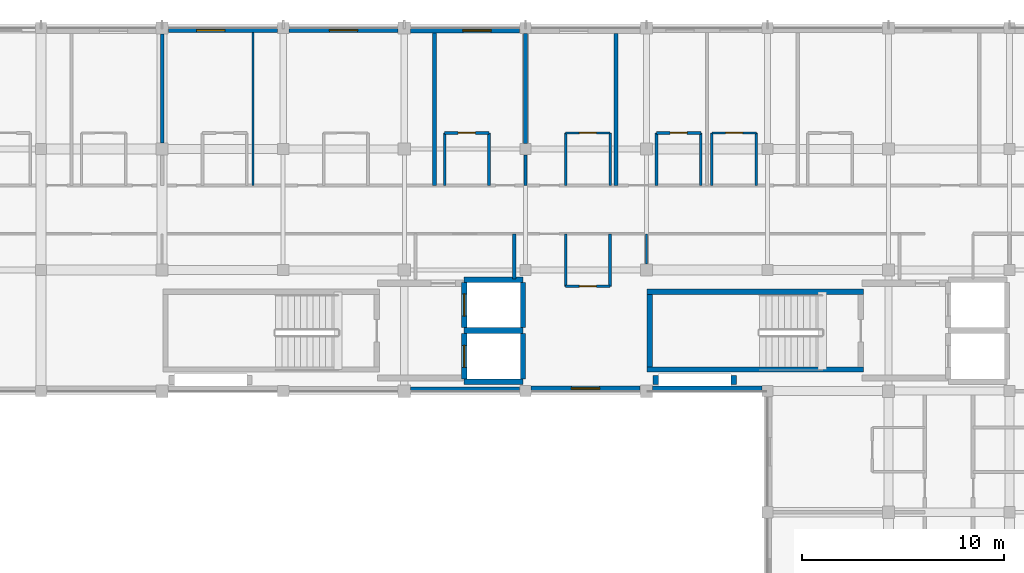
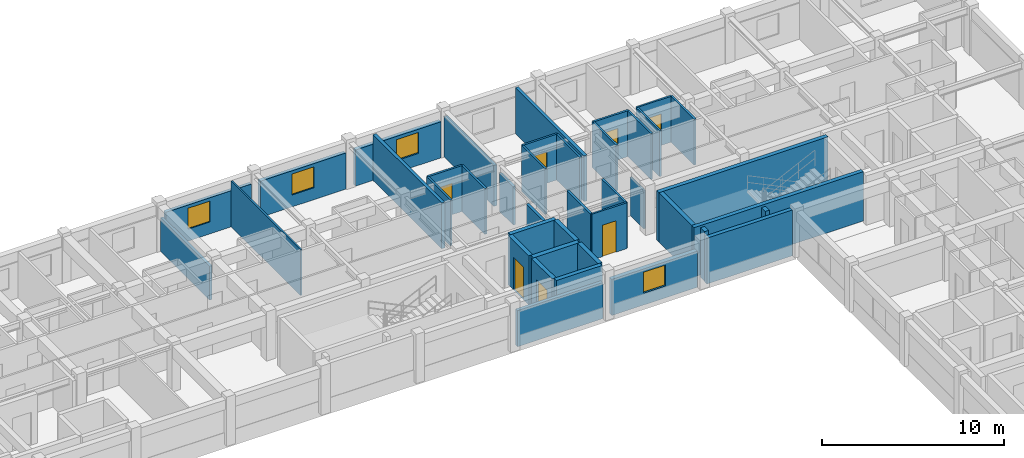
# One storey, part 14 of 21: 41 walls, 7 doors, 4 windows, 11 openings.
"""IFC4 building model written with IfcOpenShell, lengths in metres."""

from ifc_helpers import new_model, si_unit, direction, frame, frame_2d, origin, place, context, subcontext, project, spatial, rectangle, extrude, material, layer, layer_set, type_object, element, fill, save


model = new_model("IFC4")

# Units and contexts
model_context = context("Model", 3, precision=1e-05, world=origin(), true_north=direction((0.0, 1.0)))
body_context = subcontext(model_context, "Body", "Model", "MODEL_VIEW")
ifc_project = project(units=[si_unit("LENGTHUNIT", "METRE"), si_unit("AREAUNIT", "SQUARE_METRE"), si_unit("VOLUMEUNIT", "CUBIC_METRE"), si_unit("PLANEANGLEUNIT", "RADIAN"), si_unit("MASSUNIT", "GRAM", prefix="KILO"), si_unit("THERMODYNAMICTEMPERATUREUNIT", "KELVIN"), si_unit("POWERUNIT", "WATT")], contexts=[model_context])

# Site, building, storey
site_placement = place(None, origin())
site = spatial("IfcSite", under=ifc_project, at=site_placement, CompositionType="ELEMENT")
building_placement = place(site_placement, origin())
building = spatial("IfcBuilding", under=site, at=building_placement, Name="Phaisarnlok Congress Hotel", CompositionType="ELEMENT")
storey_placement = place(building_placement, frame((0.0, 0.0, 34.800048828125)))
storey = spatial("IfcBuildingStorey", under=building, at=storey_placement, Name="L08", CompositionType="ELEMENT", Elevation=34.800048828125)

# Wall, opening, window
ifc_material_1 = material(Name="Concrete C40/50", Category="concrete")
ifc_layer_1 = layer(ifc_material_1, 0.2099609375, Name="Concrete C40/50")
ifc_layer_set_1 = layer_set([ifc_layer_1], Name="Concrete C40/50")
wall_type_1 = type_object("IfcWallType", Name="WL-EXT-210", PredefinedType="SOLIDWALL", material=ifc_layer_set_1)
wall_1_placement = place(storey_placement, frame((137.719970703125, 125.89501953125, 0.0), z_axis=(0.0, 0.0, 1.0), x_axis=(-1.0, 0.0, 0.0)))
wall_1 = element("IfcWall", 1, at=wall_1_placement, inside=storey, type_object=wall_type_1, Name="Exterior wall EW-07 (L08)", PredefinedType="SOLIDWALL", context=body_context, shape_type="SweptSolid", body=[
    extrude(rectangle(XDim=5.4150390625, YDim=0.2099609375, at=frame_2d((2.70751953125, 0.0))), origin(), (0.0, 0.0, 1.0), 2.419921875),
])
opening_1_placement = place(wall_1_placement, frame((2.60693359375, 0.0, 0.800048828125)))
opening_1 = element("IfcOpeningElement", 2, at=opening_1_placement, cuts=wall_1, Name="Opening W-13", PredefinedType="OPENING", context=body_context, shape_type="SweptSolid", body=[
    extrude(rectangle(XDim=1.39990234375, YDim=1.39990234375, at=frame_2d((0.699951171875, 0.699951171875))), frame((0.0, 0.114990234375, 0.0), z_axis=(0.0, -1.0, 0.0), x_axis=(1.0, 0.0, 0.0)), (0.0, 0.0, 1.0), 0.22998046875),
])
ifc_material_2 = material(Name="Thermally Broken Aluminium & Low-E Double Glazing", Category="aluminium")
window_type = type_object("IfcWindowType", Name="WIN-POD-1400", PartitioningType="SINGLE_PANEL", PredefinedType="WINDOW", material=ifc_material_2)
window_1_placement = place(opening_1_placement, origin())
window_1 = element("IfcWindow", 3, at=window_1_placement, inside=storey, type_object=window_type, Name="Guestroom window W-13 (L08)", OverallHeight=1.39990234375, OverallWidth=1.39990234375, PartitioningType="SINGLE_PANEL", PredefinedType="WINDOW", context=body_context, shape_type="SweptSolid", body=[
    extrude(rectangle(XDim=1.39990234375, YDim=1.39990234375, at=frame_2d((0.699951171875, 0.699951171875))), frame((0.0, 0.030029296875, 0.0), z_axis=(0.0, -1.0, 0.0), x_axis=(1.0, 0.0, 0.0)), (0.0, 0.0, 1.0), 0.06005859375),
])
fill(opening_1, window_1)

# Wall
wall_2_placement = place(storey_placement, frame((144.304931640625, 108.10498046875, 0.0), z_axis=(0.0, 0.0, 1.0), x_axis=(1.0, 0.0, 0.0)))
element("IfcWall", 4, at=wall_2_placement, inside=storey, type_object=wall_type_1, Name="Exterior wall EW-07 (L08)", PredefinedType="SOLIDWALL", context=body_context, shape_type="SweptSolid", body=[
    extrude(rectangle(XDim=5.4150390625, YDim=0.2099609375, at=frame_2d((2.70751953125, 0.0))), origin(), (0.0, 0.0, 1.0), 2.419921875),
])

# Wall, opening, window
ifc_layer_2 = layer(ifc_material_1, 0.22998046875, Name="Concrete C40/50")
ifc_layer_set_2 = layer_set([ifc_layer_2], Name="Concrete C40/50")
wall_type_2 = type_object("IfcWallType", Name="WL-EXT-230", PredefinedType="SOLIDWALL", material=ifc_layer_set_2)
wall_3_placement = place(storey_placement, frame((143.695068359375, 125.885009765625, 0.0), z_axis=(0.0, 0.0, 1.0), x_axis=(-1.0, 0.0, 0.0)))
wall_3 = element("IfcWall", 5, at=wall_3_placement, inside=storey, type_object=wall_type_2, Name="Exterior wall EW-06 (L08)", PredefinedType="SOLIDWALL", context=body_context, shape_type="SweptSolid", body=[
    extrude(rectangle(XDim=5.4150390625, YDim=0.22998046875, at=frame_2d((2.70751953125, 0.0))), origin(), (0.0, 0.0, 1.0), 2.419921875),
])
opening_2_placement = place(wall_3_placement, frame((2.007080078125, 0.0, 0.800048828125)))
opening_2 = element("IfcOpeningElement", 6, at=opening_2_placement, cuts=wall_3, Name="Opening W-13", PredefinedType="OPENING", context=body_context, shape_type="SweptSolid", body=[
    extrude(rectangle(XDim=1.39990234375, YDim=1.39990234375, at=frame_2d((0.699951171875, 0.699951171875))), frame((0.0, 0.125, 0.0), z_axis=(0.0, -1.0, 0.0), x_axis=(1.0, 0.0, 0.0)), (0.0, 0.0, 1.0), 0.25),
])
window_2_placement = place(opening_2_placement, origin())
window_2 = element("IfcWindow", 7, at=window_2_placement, inside=storey, type_object=window_type, Name="Guestroom window W-13 (L08)", OverallHeight=1.39990234375, OverallWidth=1.39990234375, PartitioningType="SINGLE_PANEL", PredefinedType="WINDOW", context=body_context, shape_type="SweptSolid", body=[
    extrude(rectangle(XDim=1.39990234375, YDim=1.39990234375, at=frame_2d((0.699951171875, 0.699951171875))), frame((0.0, 0.030029296875, 0.0), z_axis=(0.0, -1.0, 0.0), x_axis=(1.0, 0.0, 0.0)), (0.0, 0.0, 1.0), 0.06005859375),
])
fill(opening_2, window_2)

ifc_layer_3 = layer(ifc_material_1, 0.25, Name="Concrete C40/50")
ifc_layer_set_3 = layer_set([ifc_layer_3], Name="Concrete C40/50")
wall_type_3 = type_object("IfcWallType", Name="WL-EXT-250", PredefinedType="SOLIDWALL", material=ifc_layer_set_3)
wall_4_placement = place(storey_placement, frame((149.719970703125, 125.875, 0.0), z_axis=(0.0, 0.0, 1.0), x_axis=(-1.0, 0.0, 0.0)))
wall_4 = element("IfcWall", 8, at=wall_4_placement, inside=storey, type_object=wall_type_3, Name="Exterior wall EW-05 (L08)", PredefinedType="SOLIDWALL", context=body_context, shape_type="SweptSolid", body=[
    extrude(rectangle(XDim=5.4150390625, YDim=0.25, at=frame_2d((2.70751953125, 0.0))), origin(), (0.0, 0.0, 1.0), 2.419921875),
])
opening_3_placement = place(wall_4_placement, frame((1.419921875, 0.0, 0.800048828125)))
opening_3 = element("IfcOpeningElement", 9, at=opening_3_placement, cuts=wall_4, Name="Opening W-13", PredefinedType="OPENING", context=body_context, shape_type="SweptSolid", body=[
    extrude(rectangle(XDim=1.39990234375, YDim=1.39990234375, at=frame_2d((0.699951171875, 0.699951171875))), frame((0.0, 0.135009765625, 0.0), z_axis=(0.0, -1.0, 0.0), x_axis=(1.0, 0.0, 0.0)), (0.0, 0.0, 1.0), 0.27001953125),
])
window_3_placement = place(opening_3_placement, origin())
window_3 = element("IfcWindow", 10, at=window_3_placement, inside=storey, type_object=window_type, Name="Guestroom window W-13 (L08)", OverallHeight=1.39990234375, OverallWidth=1.39990234375, PartitioningType="SINGLE_PANEL", PredefinedType="WINDOW", context=body_context, shape_type="SweptSolid", body=[
    extrude(rectangle(XDim=1.39990234375, YDim=1.39990234375, at=frame_2d((0.699951171875, 0.699951171875))), frame((0.0, 0.030029296875, 0.0), z_axis=(0.0, -1.0, 0.0), x_axis=(1.0, 0.0, 0.0)), (0.0, 0.0, 1.0), 0.06005859375),
])
fill(opening_3, window_3)

# Wall
wall_5_placement = place(storey_placement, frame((156.304931640625, 108.125, 0.0), z_axis=(0.0, 0.0, 1.0), x_axis=(1.0, 0.0, 0.0)))
element("IfcWall", 11, at=wall_5_placement, inside=storey, type_object=wall_type_3, Name="Exterior wall EW-05 (L08)", PredefinedType="SOLIDWALL", context=body_context, shape_type="SweptSolid", body=[
    extrude(rectangle(XDim=5.4150390625, YDim=0.25, at=frame_2d((2.70751953125, 0.0))), origin(), (0.0, 0.0, 1.0), 3.070068359375),
])

# Wall, opening, window
ifc_layer_4 = layer(ifc_material_1, 0.27001953125, Name="Concrete C40/50")
ifc_layer_set_4 = layer_set([ifc_layer_4], Name="Concrete C40/50")
wall_type_4 = type_object("IfcWallType", Name="WL-EXT-270", PredefinedType="SOLIDWALL", material=ifc_layer_set_4)
wall_6_placement = place(storey_placement, frame((150.280029296875, 108.135009765625, 0.0), z_axis=(0.0, 0.0, 1.0), x_axis=(1.0, 0.0, 0.0)))
wall_6 = element("IfcWall", 12, at=wall_6_placement, inside=storey, type_object=wall_type_4, Name="Exterior wall EW-04 (L08)", PredefinedType="SOLIDWALL", context=body_context, shape_type="SweptSolid", body=[
    extrude(rectangle(XDim=5.4150390625, YDim=0.27001953125, at=frame_2d((2.70751953125, 0.0))), origin(), (0.0, 0.0, 1.0), 2.419921875),
])
opening_4_placement = place(wall_6_placement, frame((2.008056640625, 0.0, 0.800048828125)))
opening_4 = element("IfcOpeningElement", 13, at=opening_4_placement, cuts=wall_6, Name="Opening W-13", PredefinedType="OPENING", context=body_context, shape_type="SweptSolid", body=[
    extrude(rectangle(XDim=1.39990234375, YDim=1.39990234375, at=frame_2d((0.699951171875, 0.699951171875))), frame((0.0, 0.14501953125, 0.0), z_axis=(0.0, -1.0, 0.0), x_axis=(1.0, 0.0, 0.0)), (0.0, 0.0, 1.0), 0.2900390625),
])
window_4_placement = place(opening_4_placement, origin())
window_4 = element("IfcWindow", 14, at=window_4_placement, inside=storey, type_object=window_type, Name="Guestroom window W-13 (L08)", OverallHeight=1.39990234375, OverallWidth=1.39990234375, PartitioningType="SINGLE_PANEL", PredefinedType="WINDOW", context=body_context, shape_type="SweptSolid", body=[
    extrude(rectangle(XDim=1.39990234375, YDim=1.39990234375, at=frame_2d((0.699951171875, 0.699951171875))), frame((0.0, 0.030029296875, 0.0), z_axis=(0.0, -1.0, 0.0), x_axis=(1.0, 0.0, 0.0)), (0.0, 0.0, 1.0), 0.06005859375),
])
fill(opening_4, window_4)

# Walls
ifc_material_3 = material(Name="Service Riser Shaftwall Partition", Category="gypsum")
ifc_layer_5 = layer(ifc_material_3, 0.10498046875, Name="Service Riser Shaftwall Partition")
ifc_layer_set_5 = layer_set([ifc_layer_5], Name="Service Riser Shaftwall Partition")
wall_type_5 = type_object("IfcWallType", Name="WL-INT-105", PredefinedType="PARTITIONING", material=ifc_layer_set_5)
wall_7_placement = place(storey_placement, frame((136.5, 118.199951171875, 0.0), z_axis=(0.0, 0.0, 1.0), x_axis=(0.0, 1.0, 0.0)))
element("IfcWall", 15, at=wall_7_placement, inside=storey, type_object=wall_type_5, Name="Interior partition wall IW-08 (L08)", PredefinedType="PARTITIONING", context=body_context, shape_type="SweptSolid", body=[
    extrude(rectangle(XDim=7.5849609375, YDim=0.10498046875, at=frame_2d((3.79248046875, 0.0))), origin(), (0.0, 0.0, 1.0), 3.070068359375),
])
wall_8_placement = place(storey_placement, frame((156.0, 114.304931640625, 0.0), z_axis=(0.0, 0.0, 1.0), x_axis=(0.0, 1.0, 0.0)))
element("IfcWall", 16, at=wall_8_placement, inside=storey, type_object=wall_type_5, Name="Interior partition wall IW-08 (L08)", PredefinedType="PARTITIONING", context=body_context, shape_type="SweptSolid", body=[
    extrude(rectangle(XDim=1.4951171875, YDim=0.10498046875, at=frame_2d((0.74755859375, 0.0))), origin(), (0.0, 0.0, 1.0), 2.570068359375),
])
ifc_material_4 = material(Name="Lightweight Metal-Stud Gypsum Partition", Category="gypsum")
ifc_layer_6 = layer(ifc_material_4, 0.1201171875, Name="Lightweight Metal-Stud Gypsum Partition")
ifc_layer_set_6 = layer_set([ifc_layer_6], Name="Lightweight Metal-Stud Gypsum Partition")
wall_type_6 = type_object("IfcWallType", Name="WL-INT-120", PredefinedType="PARTITIONING", material=ifc_layer_set_6)
for number, where, z_axis, x_axis, name in (
    (17, (146.0, 118.199951171875, 0.0), (0.0, 0.0, 1.0), (0.0, 1.0, 0.0), "Interior partition wall IW-07 (L08)"),
    (18, (152.0, 118.199951171875, 0.0), (0.0, 0.0, 1.0), (0.0, 1.0, 0.0), "Interior partition wall IW-07 (L08)"),
    (19, (154.199951171875, 118.199951171875, 0.0), (0.0, 0.0, 1.0), (0.0, 1.0, 0.0), "Interior partition wall IW-07 (L08)"),
    (20, (158.699951171875, 118.199951171875, 0.0), (0.0, 0.0, 1.0), (0.0, 1.0, 0.0), "Interior partition wall IW-07 (L08)"),
    (21, (159.25, 118.199951171875, 0.0), (0.0, 0.0, 1.0), (0.0, 1.0, 0.0), "Interior partition wall IW-07 (L08)"),
):
    element("IfcWall", number, at=place(storey_placement, frame(where, z_axis=z_axis, x_axis=x_axis)), inside=storey, type_object=wall_type_6, Name=name, PredefinedType="PARTITIONING", context=body_context, shape_type="SweptSolid", body=[
        extrude(rectangle(XDim=2.60009765625, YDim=0.1201171875, at=frame_2d((1.300048828125, 0.0))), origin(), (0.0, 0.0, 1.0), 3.070068359375),
    ])

# Wall, opening, door
wall_9_placement = place(storey_placement, frame((152.0, 113.199951171875, 0.0), z_axis=(0.0, 0.0, 1.0), x_axis=(1.0, 0.0, 0.0)))
wall_9 = element("IfcWall", 22, at=wall_9_placement, inside=storey, type_object=wall_type_6, Name="Interior partition wall IW-07 (L08)", PredefinedType="PARTITIONING", context=body_context, shape_type="SweptSolid", body=[
    extrude(rectangle(XDim=2.199951171875, YDim=0.1201171875, at=frame_2d((1.10009765625, 0.0))), origin(), (0.0, 0.0, 1.0), 3.070068359375),
])
opening_5_placement = place(wall_9_placement, frame((0.675048828125, 0.0, 0.0)))
opening_5 = element("IfcOpeningElement", 23, at=opening_5_placement, cuts=wall_9, Name="Opening D-0445", PredefinedType="OPENING", context=body_context, shape_type="SweptSolid", body=[
    extrude(rectangle(XDim=0.85009765625, YDim=2.10009765625, at=frame_2d((0.425048828125, 1.050048828125))), frame((0.0, 0.070068359375, 0.0), z_axis=(0.0, -1.0, 0.0), x_axis=(1.0, 0.0, 0.0)), (0.0, 0.0, 1.0), 0.14013671875),
])
ifc_material_5 = material(Name="Moisture-Resistant Lacquered Timber", Category="wood")
door_type_1 = type_object("IfcDoorType", Name="DR-BATH-850", OperationType="NOTDEFINED", PredefinedType="DOOR", material=ifc_material_5)
door_1_placement = place(opening_5_placement, origin())
door_1 = element("IfcDoor", 24, at=door_1_placement, inside=storey, type_object=door_type_1, Name="Interior door D-0445 (L08)", OperationType="SINGLE_SWING_RIGHT", OverallHeight=2.10009765625, OverallWidth=0.85009765625, PredefinedType="DOOR", context=body_context, shape_type="SweptSolid", body=[
    extrude(rectangle(XDim=0.85009765625, YDim=2.10009765625, at=frame_2d((0.425048828125, 1.050048828125))), frame((0.0, 0.02490234375, 0.0), z_axis=(0.0, -1.0, 0.0), x_axis=(1.0, 0.0, 0.0)), (0.0, 0.0, 1.0), 0.050048828125),
])
fill(opening_5, door_1)

wall_10_placement = place(storey_placement, frame((152.0, 120.800048828125, 0.0), z_axis=(0.0, 0.0, 1.0), x_axis=(1.0, 0.0, 0.0)))
wall_10 = element("IfcWall", 25, at=wall_10_placement, inside=storey, type_object=wall_type_6, Name="Interior partition wall IW-07 (L08)", PredefinedType="PARTITIONING", context=body_context, shape_type="SweptSolid", body=[
    extrude(rectangle(XDim=2.199951171875, YDim=0.1201171875, at=frame_2d((1.10009765625, 0.0))), origin(), (0.0, 0.0, 1.0), 3.070068359375),
])
opening_6_placement = place(wall_10_placement, frame((0.675048828125, 0.0, 0.0)))
opening_6 = element("IfcOpeningElement", 26, at=opening_6_placement, cuts=wall_10, Name="Opening D-0433", PredefinedType="OPENING", context=body_context, shape_type="SweptSolid", body=[
    extrude(rectangle(XDim=0.85009765625, YDim=2.10009765625, at=frame_2d((0.425048828125, 1.050048828125))), frame((0.0, 0.070068359375, 0.0), z_axis=(0.0, -1.0, 0.0), x_axis=(1.0, 0.0, 0.0)), (0.0, 0.0, 1.0), 0.14013671875),
])
door_2_placement = place(opening_6_placement, origin())
door_2 = element("IfcDoor", 27, at=door_2_placement, inside=storey, type_object=door_type_1, Name="Interior door D-0433 (L08)", OperationType="SINGLE_SWING_RIGHT", OverallHeight=2.10009765625, OverallWidth=0.85009765625, PredefinedType="DOOR", context=body_context, shape_type="SweptSolid", body=[
    extrude(rectangle(XDim=0.85009765625, YDim=2.10009765625, at=frame_2d((0.425048828125, 1.050048828125))), frame((0.0, 0.02490234375, 0.0), z_axis=(0.0, -1.0, 0.0), x_axis=(1.0, 0.0, 0.0)), (0.0, 0.0, 1.0), 0.050048828125),
])
fill(opening_6, door_2)

wall_11_placement = place(storey_placement, frame((159.25, 120.800048828125, 0.0), z_axis=(0.0, 0.0, 1.0), x_axis=(1.0, 0.0, 0.0)))
wall_11 = element("IfcWall", 28, at=wall_11_placement, inside=storey, type_object=wall_type_6, Name="Interior partition wall IW-07 (L08)", PredefinedType="PARTITIONING", context=body_context, shape_type="SweptSolid", body=[
    extrude(rectangle(XDim=2.199951171875, YDim=0.1201171875, at=frame_2d((1.10009765625, 0.0))), origin(), (0.0, 0.0, 1.0), 3.070068359375),
])
opening_7_placement = place(wall_11_placement, frame((0.675048828125, 0.0, 0.0)))
opening_7 = element("IfcOpeningElement", 29, at=opening_7_placement, cuts=wall_11, Name="Opening D-0437", PredefinedType="OPENING", context=body_context, shape_type="SweptSolid", body=[
    extrude(rectangle(XDim=0.85009765625, YDim=2.10009765625, at=frame_2d((0.425048828125, 1.050048828125))), frame((0.0, 0.070068359375, 0.0), z_axis=(0.0, -1.0, 0.0), x_axis=(1.0, 0.0, 0.0)), (0.0, 0.0, 1.0), 0.14013671875),
])
door_3_placement = place(opening_7_placement, origin())
door_3 = element("IfcDoor", 30, at=door_3_placement, inside=storey, type_object=door_type_1, Name="Interior door D-0437 (L08)", OperationType="SINGLE_SWING_RIGHT", OverallHeight=2.10009765625, OverallWidth=0.85009765625, PredefinedType="DOOR", context=body_context, shape_type="SweptSolid", body=[
    extrude(rectangle(XDim=0.85009765625, YDim=2.10009765625, at=frame_2d((0.425048828125, 1.050048828125))), frame((0.0, 0.02490234375, 0.0), z_axis=(0.0, -1.0, 0.0), x_axis=(1.0, 0.0, 0.0)), (0.0, 0.0, 1.0), 0.050048828125),
])
fill(opening_7, door_3)

# Walls
ifc_material_6 = material(Name="Moisture-Resistant Gypsum Partition", Category="gypsum")
ifc_layer_7 = layer(ifc_material_6, 0.135009765625, Name="Moisture-Resistant Gypsum Partition")
ifc_layer_set_7 = layer_set([ifc_layer_7], Name="Moisture-Resistant Gypsum Partition")
wall_type_7 = type_object("IfcWallType", Name="WL-INT-135", PredefinedType="PARTITIONING", material=ifc_layer_set_7)
for number, where, z_axis, x_axis, name in (
    (31, (148.199951171875, 118.199951171875, 0.0), (0.0, 0.0, 1.0), (0.0, 1.0, 0.0), "Interior partition wall IW-06 (L08)"),
    (32, (152.0, 113.199951171875, 0.0), (0.0, 0.0, 1.0), (0.0, 1.0, 0.0), "Interior partition wall IW-06 (L08)"),
    (33, (154.199951171875, 113.199951171875, 0.0), (0.0, 0.0, 1.0), (0.0, 1.0, 0.0), "Interior partition wall IW-06 (L08)"),
    (34, (156.5, 118.199951171875, 0.0), (0.0, 0.0, 1.0), (0.0, 1.0, 0.0), "Interior partition wall IW-06 (L08)"),
    (35, (161.449951171875, 118.199951171875, 0.0), (0.0, 0.0, 1.0), (0.0, 1.0, 0.0), "Interior partition wall IW-06 (L08)"),
):
    element("IfcWall", number, at=place(storey_placement, frame(where, z_axis=z_axis, x_axis=x_axis)), inside=storey, type_object=wall_type_7, Name=name, PredefinedType="PARTITIONING", context=body_context, shape_type="SweptSolid", body=[
        extrude(rectangle(XDim=2.60009765625, YDim=0.135009765625, at=frame_2d((1.300048828125, 0.0))), origin(), (0.0, 0.0, 1.0), 3.070068359375),
    ])

# Wall, opening, door
wall_12_placement = place(storey_placement, frame((146.0, 120.800048828125, 0.0), z_axis=(0.0, 0.0, 1.0), x_axis=(1.0, 0.0, 0.0)))
wall_12 = element("IfcWall", 36, at=wall_12_placement, inside=storey, type_object=wall_type_7, Name="Interior partition wall IW-06 (L08)", PredefinedType="PARTITIONING", context=body_context, shape_type="SweptSolid", body=[
    extrude(rectangle(XDim=2.199951171875, YDim=0.135009765625, at=frame_2d((1.10009765625, 0.0))), origin(), (0.0, 0.0, 1.0), 3.070068359375),
])
opening_8_placement = place(wall_12_placement, frame((0.675048828125, 0.0, 0.0)))
opening_8 = element("IfcOpeningElement", 37, at=opening_8_placement, cuts=wall_12, Name="Opening D-0431", PredefinedType="OPENING", context=body_context, shape_type="SweptSolid", body=[
    extrude(rectangle(XDim=0.85009765625, YDim=2.10009765625, at=frame_2d((0.425048828125, 1.050048828125))), frame((0.0, 0.07763671875, 0.0), z_axis=(0.0, -1.0, 0.0), x_axis=(1.0, 0.0, 0.0)), (0.0, 0.0, 1.0), 0.155029296875),
])
door_4_placement = place(opening_8_placement, origin())
door_4 = element("IfcDoor", 38, at=door_4_placement, inside=storey, type_object=door_type_1, Name="Interior door D-0431 (L08)", OperationType="SINGLE_SWING_RIGHT", OverallHeight=2.10009765625, OverallWidth=0.85009765625, PredefinedType="DOOR", context=body_context, shape_type="SweptSolid", body=[
    extrude(rectangle(XDim=0.85009765625, YDim=2.10009765625, at=frame_2d((0.425048828125, 1.050048828125))), frame((0.0, 0.02490234375, 0.0), z_axis=(0.0, -1.0, 0.0), x_axis=(1.0, 0.0, 0.0)), (0.0, 0.0, 1.0), 0.050048828125),
])
fill(opening_8, door_4)

wall_13_placement = place(storey_placement, frame((156.5, 120.800048828125, 0.0), z_axis=(0.0, 0.0, 1.0), x_axis=(1.0, 0.0, 0.0)))
wall_13 = element("IfcWall", 39, at=wall_13_placement, inside=storey, type_object=wall_type_7, Name="Interior partition wall IW-06 (L08)", PredefinedType="PARTITIONING", context=body_context, shape_type="SweptSolid", body=[
    extrude(rectangle(XDim=2.199951171875, YDim=0.135009765625, at=frame_2d((1.10009765625, 0.0))), origin(), (0.0, 0.0, 1.0), 3.070068359375),
])
opening_9_placement = place(wall_13_placement, frame((0.675048828125, 0.0, 0.0)))
opening_9 = element("IfcOpeningElement", 40, at=opening_9_placement, cuts=wall_13, Name="Opening D-0435", PredefinedType="OPENING", context=body_context, shape_type="SweptSolid", body=[
    extrude(rectangle(XDim=0.85009765625, YDim=2.10009765625, at=frame_2d((0.425048828125, 1.050048828125))), frame((0.0, 0.07763671875, 0.0), z_axis=(0.0, -1.0, 0.0), x_axis=(1.0, 0.0, 0.0)), (0.0, 0.0, 1.0), 0.155029296875),
])
door_5_placement = place(opening_9_placement, origin())
door_5 = element("IfcDoor", 41, at=door_5_placement, inside=storey, type_object=door_type_1, Name="Interior door D-0435 (L08)", OperationType="SINGLE_SWING_RIGHT", OverallHeight=2.10009765625, OverallWidth=0.85009765625, PredefinedType="DOOR", context=body_context, shape_type="SweptSolid", body=[
    extrude(rectangle(XDim=0.85009765625, YDim=2.10009765625, at=frame_2d((0.425048828125, 1.050048828125))), frame((0.0, 0.02490234375, 0.0), z_axis=(0.0, -1.0, 0.0), x_axis=(1.0, 0.0, 0.0)), (0.0, 0.0, 1.0), 0.050048828125),
])
fill(opening_9, door_5)

# Walls
ifc_material_7 = material(Name="Acoustic Gypsum Board & Mineral Wool", Category="gypsum")
ifc_layer_8 = layer(ifc_material_7, 0.14990234375, Name="Acoustic Gypsum Board & Mineral Wool")
ifc_layer_set_8 = layer_set([ifc_layer_8], Name="Acoustic Gypsum Board & Mineral Wool")
wall_type_8 = type_object("IfcWallType", Name="WL-INT-150", PredefinedType="PARTITIONING", material=ifc_layer_set_8)
wall_14_placement = place(storey_placement, frame((150.0, 118.199951171875, 0.0), z_axis=(0.0, 0.0, 1.0), x_axis=(0.0, 1.0, 0.0)))
element("IfcWall", 42, at=wall_14_placement, inside=storey, type_object=wall_type_8, Name="Interior partition wall IW-05 (L08)", PredefinedType="PARTITIONING", context=body_context, shape_type="SweptSolid", body=[
    extrude(rectangle(XDim=1.52001953125, YDim=0.14990234375, at=frame_2d((0.760009765625, 0.0))), origin(), (0.0, 0.0, 1.0), 2.570068359375),
])
ifc_material_8 = material(Name="Double-Stud Acoustic Gypsum Partition", Category="gypsum")
ifc_layer_9 = layer(ifc_material_8, 0.159912109375, Name="Double-Stud Acoustic Gypsum Partition")
ifc_layer_set_9 = layer_set([ifc_layer_9], Name="Double-Stud Acoustic Gypsum Partition")
wall_type_9 = type_object("IfcWallType", Name="WL-INT-160", PredefinedType="PARTITIONING", material=ifc_layer_set_9)
wall_15_placement = place(storey_placement, frame((132.0, 120.304931640625, 0.0), z_axis=(0.0, 0.0, 1.0), x_axis=(0.0, 1.0, 0.0)))
element("IfcWall", 43, at=wall_15_placement, inside=storey, type_object=wall_type_9, Name="Interior partition wall IW-04 (L08)", PredefinedType="PARTITIONING", context=body_context, shape_type="SweptSolid", body=[
    extrude(rectangle(XDim=5.39013671875, YDim=0.159912109375, at=frame_2d((2.695068359375, 0.0))), origin(), (0.0, 0.0, 1.0), 2.27001953125),
])
wall_16_placement = place(storey_placement, frame((149.449951171875, 113.56005859375, 0.0), z_axis=(0.0, 0.0, 1.0), x_axis=(0.0, 1.0, 0.0)))
element("IfcWall", 44, at=wall_16_placement, inside=storey, type_object=wall_type_9, Name="Interior partition wall IW-04 (L08)", PredefinedType="PARTITIONING", context=body_context, shape_type="SweptSolid", body=[
    extrude(rectangle(XDim=2.239990234375, YDim=0.159912109375, at=frame_2d((1.1201171875, 0.0))), origin(), (0.0, 0.0, 1.0), 3.070068359375),
])
ifc_material_9 = material(Name="Autoclaved Aerated Concrete Block", Category="concrete")
ifc_layer_10 = layer(ifc_material_9, 0.199951171875, Name="Autoclaved Aerated Concrete Block")
ifc_layer_set_10 = layer_set([ifc_layer_10], Name="Autoclaved Aerated Concrete Block")
wall_type_10 = type_object("IfcWallType", Name="WL-INT-200", PredefinedType="PARTITIONING", material=ifc_layer_set_10)
wall_17_placement = place(storey_placement, frame((145.5, 118.199951171875, 0.0), z_axis=(0.0, 0.0, 1.0), x_axis=(0.0, 1.0, 0.0)))
element("IfcWall", 45, at=wall_17_placement, inside=storey, type_object=wall_type_10, Name="Interior partition wall IW-02 (L08)", PredefinedType="PARTITIONING", context=body_context, shape_type="SweptSolid", body=[
    extrude(rectangle(XDim=7.545166015625, YDim=0.199951171875, at=frame_2d((3.7724609375, 0.0))), origin(), (0.0, 0.0, 1.0), 3.070068359375),
])
wall_18_placement = place(storey_placement, frame((150.0, 120.280029296875, 0.0), z_axis=(0.0, 0.0, 1.0), x_axis=(0.0, 1.0, 0.0)))
element("IfcWall", 46, at=wall_18_placement, inside=storey, type_object=wall_type_10, Name="Interior partition wall IW-02 (L08)", PredefinedType="PARTITIONING", context=body_context, shape_type="SweptSolid", body=[
    extrude(rectangle(XDim=5.43994140625, YDim=0.199951171875, at=frame_2d((2.719970703125, 0.0))), origin(), (0.0, 0.0, 1.0), 2.72998046875),
])
wall_19_placement = place(storey_placement, frame((154.5, 118.199951171875, 0.0), z_axis=(0.0, 0.0, 1.0), x_axis=(0.0, 1.0, 0.0)))
element("IfcWall", 47, at=wall_19_placement, inside=storey, type_object=wall_type_10, Name="Interior partition wall IW-02 (L08)", PredefinedType="PARTITIONING", context=body_context, shape_type="SweptSolid", body=[
    extrude(rectangle(XDim=7.525146484375, YDim=0.199951171875, at=frame_2d((3.7626953125, 0.0))), origin(), (0.0, 0.0, 1.0), 3.070068359375),
])
ifc_material_10 = material(Name="Concrete C50/60", Category="concrete")
ifc_layer_11 = layer(ifc_material_10, 0.260009765625, Name="Concrete C50/60")
ifc_layer_set_11 = layer_set([ifc_layer_11], Name="Concrete C50/60")
wall_type_11 = type_object("IfcWallType", Name="WL-SHR-260", PredefinedType="SHEAR", material=ifc_layer_set_11)
for number, where, z_axis, x_axis, name in (
    (48, (156.0400390625, 109.070068359375, 0.0), (0.0, 0.0, 1.0), (1.0, 0.0, 0.0), "Stair shaft shear wall SW-04 (CORE-1 L08)"),
    (49, (156.0400390625, 112.929931640625, 0.0), (0.0, 0.0, 1.0), (1.0, 0.0, 0.0), "Stair shaft shear wall SW-04 (CORE-1 L08)"),
):
    element("IfcWall", number, at=place(storey_placement, frame(where, z_axis=z_axis, x_axis=x_axis)), inside=storey, type_object=wall_type_11, Name=name, PredefinedType="SHEAR", context=body_context, shape_type="SweptSolid", body=[
        extrude(rectangle(XDim=10.719970703125, YDim=0.260009765625, at=frame_2d((5.35986328125, 0.0))), origin(), (0.0, 0.0, 1.0), 3.300048828125),
    ])
wall_20_placement = place(storey_placement, frame((156.169921875, 109.199951171875, 0.0), z_axis=(0.0, 0.0, 1.0), x_axis=(0.0, 1.0, 0.0)))
element("IfcWall", 50, at=wall_20_placement, inside=storey, type_object=wall_type_11, Name="Stair shaft shear wall SW-04 (CORE-1 L08)", PredefinedType="SHEAR", context=body_context, shape_type="SweptSolid", body=[
    extrude(rectangle(XDim=3.60009765625, YDim=0.260009765625, at=frame_2d((1.800048828125, 0.0))), origin(), (0.0, 0.0, 1.0), 3.300048828125),
])
for number, where, z_axis, x_axis, name in (
    (51, (156.469970703125, 108.330078125, 0.0), (0.0, 0.0, 1.0), (0.0, 1.0, 0.0), "Service riser shaft wall SW-04 (CORE-1 L08)"),
    (52, (160.330078125, 108.330078125, 0.0), (0.0, 0.0, 1.0), (0.0, 1.0, 0.0), "Service riser shaft wall SW-04 (CORE-1 L08)"),
):
    element("IfcWall", number, at=place(storey_placement, frame(where, z_axis=z_axis, x_axis=x_axis)), inside=storey, type_object=wall_type_11, Name=name, PredefinedType="SHEAR", context=body_context, shape_type="SweptSolid", body=[
        extrude(rectangle(XDim=0.43994140625, YDim=0.260009765625, at=frame_2d((0.219970703125, 0.0))), origin(), (0.0, 0.0, 1.0), 3.300048828125),
    ])
wall_21_placement = place(storey_placement, frame((146.969970703125, 108.469970703125, 0.0), z_axis=(0.0, 0.0, 1.0), x_axis=(1.0, 0.0, 0.0)))
element("IfcWall", 53, at=wall_21_placement, inside=storey, type_object=wall_type_11, Name="Lift shaft shear wall SW-04 (LF-FF2 L08)", PredefinedType="SHEAR", context=body_context, shape_type="SweptSolid", body=[
    extrude(rectangle(XDim=2.909912109375, YDim=0.260009765625, at=frame_2d((1.455078125, 0.0))), origin(), (0.0, 0.0, 1.0), 3.300048828125),
])
wall_22_placement = place(storey_placement, frame((149.8798828125, 108.60009765625, 0.0), z_axis=(0.0, 0.0, 1.0), x_axis=(0.0, 1.0, 0.0)))
element("IfcWall", 54, at=wall_22_placement, inside=storey, type_object=wall_type_11, Name="Lift shaft shear wall SW-04 (LF-FF2 L08)", PredefinedType="SHEAR", context=body_context, shape_type="SweptSolid", body=[
    extrude(rectangle(XDim=2.25, YDim=0.260009765625, at=frame_2d((1.125, 0.0))), origin(), (0.0, 0.0, 1.0), 3.300048828125),
])

# Wall, opening, door
wall_23_placement = place(storey_placement, frame((146.969970703125, 108.60009765625, 0.0), z_axis=(0.0, 0.0, 1.0), x_axis=(0.0, 1.0, 0.0)))
wall_23 = element("IfcWall", 55, at=wall_23_placement, inside=storey, type_object=wall_type_11, Name="Lift shaft front wall SW-04 (LF-FF2 L08)", PredefinedType="SHEAR", context=body_context, shape_type="SweptSolid", body=[
    extrude(rectangle(XDim=2.25, YDim=0.260009765625, at=frame_2d((1.125, 0.0))), origin(), (0.0, 0.0, 1.0), 3.300048828125),
])
opening_10_placement = place(wall_23_placement, frame((0.574951171875, 0.0, 0.0)))
opening_10 = element("IfcOpeningElement", 56, at=opening_10_placement, cuts=wall_23, Name="Opening LD-040", PredefinedType="OPENING", context=body_context, shape_type="SweptSolid", body=[
    extrude(rectangle(XDim=1.10009765625, YDim=2.199951171875, at=frame_2d((0.550048828125, 1.10009765625))), frame((0.0, 0.14013671875, 0.0), z_axis=(0.0, -1.0, 0.0), x_axis=(1.0, 0.0, 0.0)), (0.0, 0.0, 1.0), 0.280029296875),
])
ifc_material_11 = material(Name="Brushed Stainless Steel Grade 304", Category="steel")
door_type_2 = type_object("IfcDoorType", Name="DR-LD-1100", OperationType="DOUBLE_DOOR_SLIDING", PredefinedType="DOOR", material=ifc_material_11)
door_6_placement = place(opening_10_placement, origin())
door_6 = element("IfcDoor", 57, at=door_6_placement, inside=storey, type_object=door_type_2, Name="Lift landing sliding door LD-040 (LF-FF2 L08)", OperationType="DOUBLE_DOOR_SLIDING", OverallHeight=2.199951171875, OverallWidth=1.10009765625, PredefinedType="DOOR", context=body_context, shape_type="SweptSolid", body=[
    extrude(rectangle(XDim=1.10009765625, YDim=2.199951171875, at=frame_2d((0.550048828125, 1.10009765625))), frame((0.0, 0.02490234375, 0.0), z_axis=(0.0, -1.0, 0.0), x_axis=(1.0, 0.0, 0.0)), (0.0, 0.0, 1.0), 0.050048828125),
])
fill(opening_10, door_6)

# Walls
wall_24_placement = place(storey_placement, frame((146.969970703125, 113.530029296875, 0.0), z_axis=(0.0, 0.0, 1.0), x_axis=(1.0, 0.0, 0.0)))
element("IfcWall", 58, at=wall_24_placement, inside=storey, type_object=wall_type_11, Name="Lift shaft shear wall SW-04 (LF-HP2 L08)", PredefinedType="SHEAR", context=body_context, shape_type="SweptSolid", body=[
    extrude(rectangle(XDim=2.909912109375, YDim=0.260009765625, at=frame_2d((1.455078125, 0.0))), origin(), (0.0, 0.0, 1.0), 3.300048828125),
])
wall_25_placement = place(storey_placement, frame((149.8798828125, 111.14990234375, 0.0), z_axis=(0.0, 0.0, 1.0), x_axis=(0.0, 1.0, 0.0)))
element("IfcWall", 59, at=wall_25_placement, inside=storey, type_object=wall_type_11, Name="Lift shaft shear wall SW-04 (LF-HP2 L08)", PredefinedType="SHEAR", context=body_context, shape_type="SweptSolid", body=[
    extrude(rectangle(XDim=2.25, YDim=0.260009765625, at=frame_2d((1.125, 0.0))), origin(), (0.0, 0.0, 1.0), 3.300048828125),
])

# Wall, opening, door
wall_26_placement = place(storey_placement, frame((146.969970703125, 111.14990234375, 0.0), z_axis=(0.0, 0.0, 1.0), x_axis=(0.0, 1.0, 0.0)))
wall_26 = element("IfcWall", 60, at=wall_26_placement, inside=storey, type_object=wall_type_11, Name="Lift shaft front wall SW-04 (LF-HP2 L08)", PredefinedType="SHEAR", context=body_context, shape_type="SweptSolid", body=[
    extrude(rectangle(XDim=2.25, YDim=0.260009765625, at=frame_2d((1.125, 0.0))), origin(), (0.0, 0.0, 1.0), 3.300048828125),
])
opening_11_placement = place(wall_26_placement, frame((0.574951171875, 0.0, 0.0)))
opening_11 = element("IfcOpeningElement", 61, at=opening_11_placement, cuts=wall_26, Name="Opening LD-055", PredefinedType="OPENING", context=body_context, shape_type="SweptSolid", body=[
    extrude(rectangle(XDim=1.10009765625, YDim=2.199951171875, at=frame_2d((0.550048828125, 1.10009765625))), frame((0.0, 0.14013671875, 0.0), z_axis=(0.0, -1.0, 0.0), x_axis=(1.0, 0.0, 0.0)), (0.0, 0.0, 1.0), 0.280029296875),
])
door_7_placement = place(opening_11_placement, origin())
door_7 = element("IfcDoor", 62, at=door_7_placement, inside=storey, type_object=door_type_2, Name="Lift landing sliding door LD-055 (LF-HP2 L08)", OperationType="DOUBLE_DOOR_SLIDING", OverallHeight=2.199951171875, OverallWidth=1.10009765625, PredefinedType="DOOR", context=body_context, shape_type="SweptSolid", body=[
    extrude(rectangle(XDim=1.10009765625, YDim=2.199951171875, at=frame_2d((0.550048828125, 1.10009765625))), frame((0.0, 0.02490234375, 0.0), z_axis=(0.0, -1.0, 0.0), x_axis=(1.0, 0.0, 0.0)), (0.0, 0.0, 1.0), 0.050048828125),
])
fill(opening_11, door_7)

# Wall
ifc_layer_12 = layer(ifc_material_10, 0.300048828125, Name="Concrete C50/60")
ifc_layer_set_12 = layer_set([ifc_layer_12], Name="Concrete C50/60")
wall_type_12 = type_object("IfcWallType", Name="WL-SHR-300", PredefinedType="SHEAR", material=ifc_layer_set_12)
wall_27_placement = place(storey_placement, frame((146.969970703125, 111.0, 0.0), z_axis=(0.0, 0.0, 1.0), x_axis=(1.0, 0.0, 0.0)))
element("IfcWall", 63, at=wall_27_placement, inside=storey, type_object=wall_type_12, Name="Lift shaft divider shear wall SW-03 (LF-FF2 L08)", PredefinedType="SHEAR", context=body_context, shape_type="SweptSolid", body=[
    extrude(rectangle(XDim=2.909912109375, YDim=0.300048828125, at=frame_2d((1.455078125, 0.0))), origin(), (0.0, 0.0, 1.0), 3.300048828125),
])

save(model, "model.ifc")
